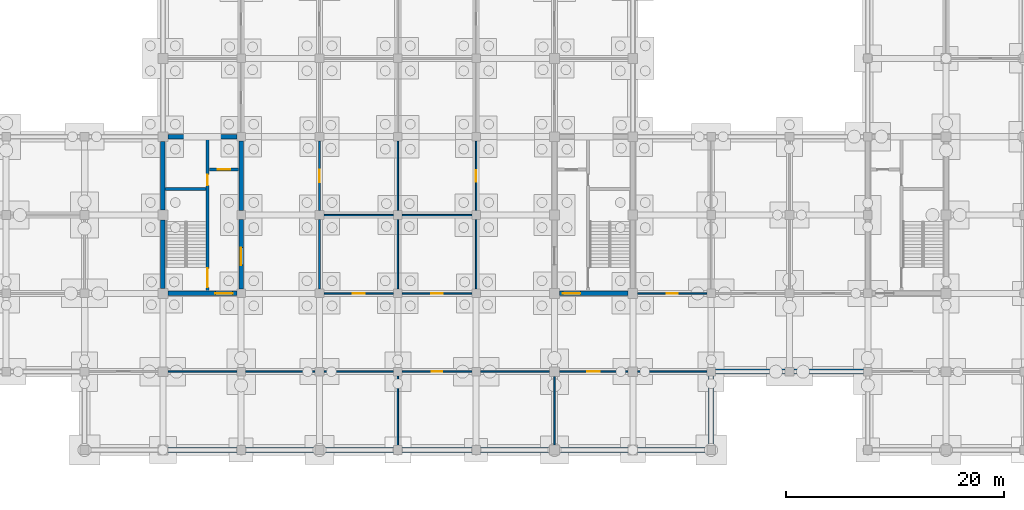
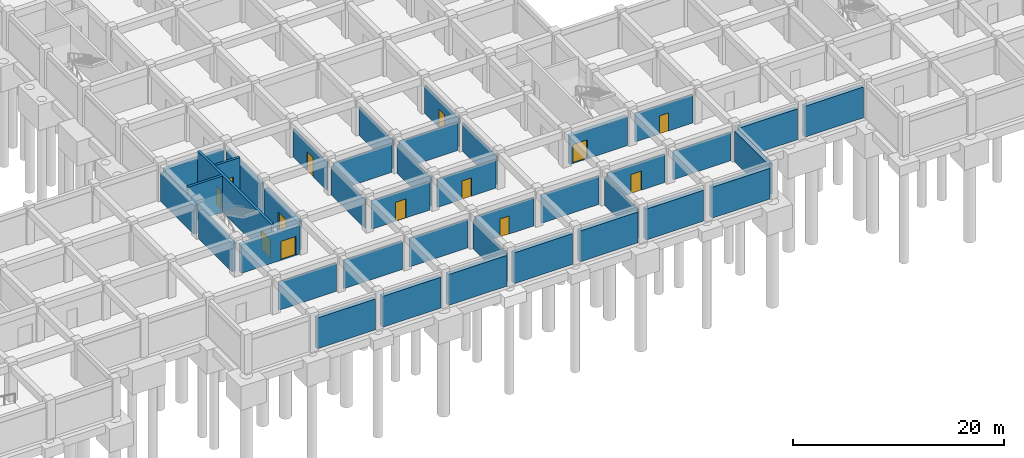
# One storey, part 16 of 25: 40 walls, 13 doors, 13 openings.
"""IFC4 building model written with IfcOpenShell, lengths in metres."""

import ifcopenshell
import ifcopenshell.guid

model = None  # the IFC model being written
_history = None  # IfcOwnerHistory: only IFC2X3 demands one
_inside = {}  # id of a spatial element -> (the spatial element, [elements in it])
_under = {}  # id of a project, library or spatial element -> (it, [spatial elements below it])
_declared = {}  # id of a project -> (the project, [libraries it declares])
_typed = {}  # id of a type object -> (the type object, [elements of that type])
_made_of = {}  # id of a material, layer set ... -> (it, [elements and type objects made of it])


def new_model(schema):
    """Start an empty IFC model of exactly this schema.

    Asked for "IFC4X3", IfcOpenShell would pick the latest addendum, in which some entities
    have other attributes; the version numbers below select the first issue.
    IFC2X3 requires an IfcOwnerHistory on every rooted entity: one is made here for all.
    """
    global model, _history
    if schema == "IFC4X3":
        model = ifcopenshell.file(schema_version=(4, 3, 0, 0))
    else:
        model = ifcopenshell.file(schema=schema)
    _inside.clear()
    _under.clear()
    _declared.clear()
    _typed.clear()
    _made_of.clear()
    _history = None
    if model.schema == "IFC2X3":
        org = make("IfcOrganization", Name="unknown")
        user = make(
            "IfcPersonAndOrganization",
            ThePerson=make("IfcPerson", FamilyName="unknown"),
            TheOrganization=org,
        )
        app = make(
            "IfcApplication",
            ApplicationDeveloper=org,
            Version="unknown",
            ApplicationFullName="unknown",
            ApplicationIdentifier="unknown",
        )
        _history = make(
            "IfcOwnerHistory",
            OwningUser=user,
            OwningApplication=app,
            ChangeAction="ADDED",
            CreationDate=0,
        )
    return model


def make(cls, **values):
    """One entity of the class cls with the attributes given. An attribute that is None is left unset."""
    return model.create_entity(
        cls, **{name: value for name, value in values.items() if value is not None}
    )


def rooted(cls, **values):
    """An entity with a GlobalId (a new one), such as an element, a storey or a relation."""
    return make(cls, GlobalId=ifcopenshell.guid.new(), OwnerHistory=_history, **values)


def si_unit(unit_type, name, prefix=None):
    """IfcSIUnit, for example si_unit("LENGTHUNIT", "METRE", prefix="MILLI")."""
    return make("IfcSIUnit", UnitType=unit_type, Prefix=prefix, Name=name)


def assignment(units):
    """IfcUnitAssignment: the units of a project."""
    return None if units is None else make("IfcUnitAssignment", Units=units)


def point(xyz):
    """IfcCartesianPoint."""
    return None if xyz is None else make("IfcCartesianPoint", Coordinates=xyz)


def direction(xyz):
    """IfcDirection."""
    return None if xyz is None else make("IfcDirection", DirectionRatios=xyz)


def frame(location, z_axis=None, x_axis=None):
    """IfcAxis2Placement3D, a coordinate frame: its origin and axes. An axis left out is left unset."""
    return make(
        "IfcAxis2Placement3D",
        Location=point(location),
        Axis=direction(z_axis),
        RefDirection=direction(x_axis),
    )


def frame_2d(location, x_axis=None):
    """IfcAxis2Placement2D, a coordinate frame in the plane: its origin and x axis."""
    return make(
        "IfcAxis2Placement2D", Location=point(location), RefDirection=direction(x_axis)
    )


def origin():
    """The frame at (0, 0, 0) with its axes left unset."""
    return frame((0.0, 0.0, 0.0))


def place(relative_to, where):
    """IfcLocalPlacement: puts the frame where relative to a parent placement (None: the world)."""
    return make(
        "IfcLocalPlacement", PlacementRelTo=relative_to, RelativePlacement=where
    )


def context(
    kind, dimensions, precision=None, world=None, true_north=None, identifier=None
):
    """IfcGeometricRepresentationContext, for example the 3D "Model" context."""
    return make(
        "IfcGeometricRepresentationContext",
        ContextIdentifier=identifier,
        ContextType=kind,
        CoordinateSpaceDimension=dimensions,
        Precision=precision,
        WorldCoordinateSystem=world,
        TrueNorth=true_north,
    )


def subcontext(parent, identifier, kind, view, scale=None):
    """IfcGeometricRepresentationSubContext, for example "Body" below "Model"."""
    return make(
        "IfcGeometricRepresentationSubContext",
        ContextIdentifier=identifier,
        ContextType=kind,
        ParentContext=parent,
        TargetScale=scale,
        TargetView=view,
    )


def project(units=None, contexts=None):
    """IfcProject with its units and contexts."""
    return rooted(
        "IfcProject",
        Name="project",
        RepresentationContexts=contexts,
        UnitsInContext=assignment(units),
    )


def spatial(cls, under=None, at=None, **own):
    """A site, building, storey or space (cls), placed at a placement, below another one or the project."""
    s = rooted(cls, ObjectPlacement=at, **own)
    if under is not None:
        _under.setdefault(under.id(), (under, []))[1].append(s)
    return s


def profile(cls, at=None, kind="AREA", **sizes):
    """A parametric profile (cls). Its sizes go by their IFC names, for example OverallWidth=200.0."""
    return make(cls, ProfileType=kind, Position=at, **sizes)


def rectangle(**sizes):
    """IfcRectangleProfileDef."""
    return profile("IfcRectangleProfileDef", **sizes)


def extrude(swept, where, along, depth):
    """IfcExtrudedAreaSolid: the profile swept, set in the frame where, extruded along a direction by depth."""
    return make(
        "IfcExtrudedAreaSolid",
        SweptArea=swept,
        Position=where,
        ExtrudedDirection=direction(along),
        Depth=depth,
    )


def shape(context_of_items, identifier, shape_type, items):
    """IfcShapeRepresentation: the items that make up one representation, for example the "Body"."""
    return make(
        "IfcShapeRepresentation",
        ContextOfItems=context_of_items,
        RepresentationIdentifier=identifier,
        RepresentationType=shape_type,
        Items=items,
    )


def material(Name=None, Category=None):
    """IfcMaterial."""
    return make("IfcMaterial", Name=Name, Category=Category)


def layer(
    of_material, thickness, ventilated=None, Name=None, Category=None, Priority=None
):
    """IfcMaterialLayer: one layer of a wall or slab, of a material (None: an air gap)."""
    return make(
        "IfcMaterialLayer",
        Material=of_material,
        LayerThickness=thickness,
        IsVentilated=ventilated,
        Name=Name,
        Category=Category,
        Priority=Priority,
    )


def layer_set(layers, Name=None):
    """IfcMaterialLayerSet."""
    return make("IfcMaterialLayerSet", MaterialLayers=layers, LayerSetName=Name)


def made_of(thing, what):
    """Note that an element or type object is made of a material, layer set ...; save() writes the relation."""
    if what is not None:
        _made_of.setdefault(what.id(), (what, []))[1].append(thing)
    return thing


def type_object(cls, material=None, **own):
    """A type object (cls), such as IfcWallType, which elements share."""
    return made_of(rooted(cls, **own), material)


def element(
    cls,
    number,
    at=None,
    inside=None,
    cuts=None,
    type_object=None,
    material=None,
    context=None,
    identifier="Body",
    shape_type=None,
    held_by="IfcProductDefinitionShape",
    body=None,
    shapes=None,
    **own,
):
    """One element of the class cls, such as IfcWall. Its Tag is "e" and its number.

    at: its placement. inside: the storey or other place that contains it. cuts: it is an
    opening in that element (IfcRelVoidsElement). A single representation is given by context,
    identifier, shape_type and body (its items); several are given by shapes. held_by: the class
    of the entity that holds the representations. save() writes the other relations.
    """
    e = rooted(cls, Tag="e%d" % number, ObjectPlacement=at, **own)
    if body is not None:
        shapes = [shape(context, identifier, shape_type, body)]
    if shapes is not None:
        e.Representation = make(held_by, Representations=shapes)
    if inside is not None:
        _inside.setdefault(inside.id(), (inside, []))[1].append(e)
    if cuts is not None:
        rooted(
            "IfcRelVoidsElement", RelatingBuildingElement=cuts, RelatedOpeningElement=e
        )
    if type_object is not None:
        _typed.setdefault(type_object.id(), (type_object, []))[1].append(e)
    return made_of(e, material)


def fill(opening, filler):
    """IfcRelFillsElement: the door or window that sits in an opening."""
    return rooted(
        "IfcRelFillsElement",
        RelatingOpeningElement=opening,
        RelatedBuildingElement=filler,
    )


def aggregate(whole, parts):
    """IfcRelAggregates: a whole, such as a stair, and the parts it consists of."""
    return rooted("IfcRelAggregates", RelatingObject=whole, RelatedObjects=parts)


def save(model, path):
    """Write the relations noted so far, then the file.

    IfcRelAggregates (storeys below a building ...), IfcRelContainedInSpatialStructure (elements
    in a storey), IfcRelDefinesByType, IfcRelAssociatesMaterial and IfcRelDeclares: one each for
    every whole, place, type object, material and project.
    """
    for whole, parts in _under.values():
        aggregate(whole, parts)
    for where, things in _inside.values():
        rooted(
            "IfcRelContainedInSpatialStructure",
            RelatedElements=things,
            RelatingStructure=where,
        )
    for kind, things in _typed.values():
        rooted("IfcRelDefinesByType", RelatedObjects=things, RelatingType=kind)
    for what, things in _made_of.values():
        rooted("IfcRelAssociatesMaterial", RelatedObjects=things, RelatingMaterial=what)
    for by, libraries in _declared.values():
        rooted("IfcRelDeclares", RelatingContext=by, RelatedDefinitions=libraries)
    model.write(path)


model = new_model("IFC4")

# Units and contexts
model_context = context("Model", 3, precision=1e-05, world=origin(), true_north=direction((0.0, 1.0)))
body_context = subcontext(model_context, "Body", "Model", "MODEL_VIEW")
ifc_project = project(units=[si_unit("LENGTHUNIT", "METRE"), si_unit("AREAUNIT", "SQUARE_METRE"), si_unit("VOLUMEUNIT", "CUBIC_METRE"), si_unit("PLANEANGLEUNIT", "RADIAN"), si_unit("MASSUNIT", "GRAM", prefix="KILO")], contexts=[model_context])

# Site, building, storey
site_placement = place(None, origin())
site = spatial("IfcSite", under=ifc_project, at=site_placement, CompositionType="ELEMENT")
building_placement = place(site_placement, origin())
building = spatial("IfcBuilding", under=site, at=building_placement, Name="Cendaluz Park School", CompositionType="ELEMENT")
storey_placement = place(building_placement, frame((0.0, 0.0, -4.5)))
storey = spatial("IfcBuildingStorey", under=building, at=storey_placement, Name="B1", CompositionType="ELEMENT", Elevation=-4.5)

# Wall, openings, doors
ifc_material_1 = material(Name="Concrete C40/50", Category="concrete")
ifc_layer_1 = layer(ifc_material_1, 0.280029296875)
ifc_layer_set_1 = layer_set([ifc_layer_1], Name="Concrete C40/50")
wall_type_1 = type_object("IfcWallType", Name="W-FW28", PredefinedType="SHEAR", material=ifc_layer_set_1)
wall_1_placement = place(storey_placement, frame((68.919921875, 14.60009765625, 0.0), z_axis=(0.0, 0.0, 1.0), x_axis=(0.0, 1.0, 0.0)))
wall_1 = element("IfcWall", 1, at=wall_1_placement, inside=storey, type_object=wall_type_1, Name="WL-BA-BR4", PredefinedType="SHEAR", context=body_context, shape_type="SweptSolid", body=[
    extrude(rectangle(XDim=14.0, YDim=0.280029296875, at=frame_2d((7.0, 0.0))), origin(), (0.0, 0.0, 1.0), 4.199951171875),
])
opening_1_placement = place(wall_1_placement, frame((0.35009765625, 0.0, 0.0)))
opening_1 = element("IfcOpeningElement", 2, at=opening_1_placement, cuts=wall_1, Name="Opening DST-03", PredefinedType="OPENING", context=body_context, shape_type="SweptSolid", body=[
    extrude(rectangle(XDim=1.75, YDim=2.14990234375, at=frame_2d((0.875, 1.074951171875))), frame((0.0, 0.152099609375, 0.0), z_axis=(0.0, -1.0, 0.0), x_axis=(1.0, 0.0, 0.0)), (0.0, 0.0, 1.0), 0.303955078125),
])
opening_2_placement = place(wall_1_placement, frame((9.719970703125, 0.0, 0.0)))
opening_2 = element("IfcOpeningElement", 3, at=opening_2_placement, cuts=wall_1, Name="Opening DFC-01", PredefinedType="OPENING", context=body_context, shape_type="SweptSolid", body=[
    extrude(rectangle(XDim=1.0, YDim=2.14990234375, at=frame_2d((0.5, 1.074951171875))), frame((0.0, 0.152099609375, 0.0), z_axis=(0.0, -1.0, 0.0), x_axis=(1.0, 0.0, 0.0)), (0.0, 0.0, 1.0), 0.303955078125),
])
ifc_material_2 = material(Name="Solid Core Hardwood", Category="wood")
door_type_1 = type_object("IfcDoorType", Name="DFC-01", OperationType="NOTDEFINED", PredefinedType="DOOR", material=ifc_material_2)
door_1_placement = place(opening_2_placement, origin())
door_1 = element("IfcDoor", 4, at=door_1_placement, inside=storey, type_object=door_type_1, Name="D-B1-004", OperationType="SINGLE_SWING_LEFT", OverallHeight=2.14990234375, OverallWidth=1.0, PredefinedType="DOOR", context=body_context, shape_type="SweptSolid", body=[
    extrude(rectangle(XDim=1.0, YDim=2.14990234375, at=frame_2d((0.5, 1.074951171875))), frame((0.0, 0.02490234375, 0.0), z_axis=(0.0, -1.0, 0.0), x_axis=(1.0, 0.0, 0.0)), (0.0, 0.0, 1.0), 0.050048828125),
])
fill(opening_2, door_1)
door_type_2 = type_object("IfcDoorType", Name="DST-03", OperationType="DOUBLE_DOOR_SINGLE_SWING", PredefinedType="DOOR", material=ifc_material_2)
door_2_placement = place(opening_1_placement, origin())
door_2 = element("IfcDoor", 5, at=door_2_placement, inside=storey, type_object=door_type_2, Name="D-B1-003", OperationType="DOUBLE_DOOR_SINGLE_SWING", OverallHeight=2.14990234375, OverallWidth=1.75, PredefinedType="DOOR", context=body_context, shape_type="SweptSolid", body=[
    extrude(rectangle(XDim=1.75, YDim=2.14990234375, at=frame_2d((0.875, 1.074951171875))), frame((0.0, 0.02490234375, 0.0), z_axis=(0.0, -1.0, 0.0), x_axis=(1.0, 0.0, 0.0)), (0.0, 0.0, 1.0), 0.050048828125),
])
fill(opening_1, door_2)

# Wall
wall_2_placement = place(storey_placement, frame((65.0, 23.97998046875, 0.0), z_axis=(0.0, 0.0, 1.0), x_axis=(1.0, 0.0, 0.0)))
element("IfcWall", 6, at=wall_2_placement, inside=storey, type_object=wall_type_1, Name="WL-BA-BR5", PredefinedType="SHEAR", context=body_context, shape_type="SweptSolid", body=[
    extrude(rectangle(XDim=3.780029296875, YDim=0.280029296875, at=frame_2d((1.89013671875, 0.0))), origin(), (0.0, 0.0, 1.0), 4.199951171875),
])

# Wall, opening, door
wall_3_placement = place(storey_placement, frame((69.080078125, 25.800048828125, 0.0), z_axis=(0.0, 0.0, 1.0), x_axis=(1.0, 0.0, 0.0)))
wall_3 = element("IfcWall", 7, at=wall_3_placement, inside=storey, type_object=wall_type_1, Name="WL-BA-BR6", PredefinedType="SHEAR", context=body_context, shape_type="SweptSolid", body=[
    extrude(rectangle(XDim=2.679931640625, YDim=0.280029296875, at=frame_2d((1.33984375, 0.0))), origin(), (0.0, 0.0, 1.0), 4.199951171875),
])
opening_3_placement = place(wall_3_placement, frame((0.764892578125, 0.0, 0.0)))
opening_3 = element("IfcOpeningElement", 8, at=opening_3_placement, cuts=wall_3, Name="Opening LD-01", PredefinedType="OPENING", context=body_context, shape_type="SweptSolid", body=[
    extrude(rectangle(XDim=1.14990234375, YDim=2.199951171875, at=frame_2d((0.574951171875, 1.10009765625))), frame((0.0, 0.152099609375, 0.0), z_axis=(0.0, -1.0, 0.0), x_axis=(1.0, 0.0, 0.0)), (0.0, 0.0, 1.0), 0.303955078125),
])
ifc_material_3 = material(Name="Stainless Steel 316L", Category="steel")
door_type_3 = type_object("IfcDoorType", Name="LD-01", OperationType="DOUBLE_DOOR_SLIDING", PredefinedType="DOOR", material=ifc_material_3)
door_3_placement = place(opening_3_placement, frame((1.14990234375, 0.0, 0.0), z_axis=(0.0, 0.0, 1.0), x_axis=(-1.0, 0.0, 0.0)))
door_3 = element("IfcDoor", 9, at=door_3_placement, inside=storey, type_object=door_type_3, Name="D-B1-005", OperationType="DOUBLE_DOOR_SLIDING", OverallHeight=2.199951171875, OverallWidth=1.14990234375, PredefinedType="DOOR", context=body_context, shape_type="SweptSolid", body=[
    extrude(rectangle(XDim=1.14990234375, YDim=2.199951171875, at=frame_2d((0.574951171875, 1.10009765625))), frame((0.0, 0.02490234375, 0.0), z_axis=(0.0, -1.0, 0.0), x_axis=(1.0, 0.0, 0.0)), (0.0, 0.0, 1.0), 0.050048828125),
])
fill(opening_3, door_3)

# Walls
ifc_layer_2 = layer(ifc_material_1, 0.449951171875)
ifc_layer_set_2 = layer_set([ifc_layer_2], Name="Concrete C40/50")
wall_type_2 = type_object("IfcWallType", Name="W-RT45", PredefinedType="SOLIDWALL", material=ifc_layer_set_2)
wall_4_placement = place(storey_placement, frame((65.25, 0.0, 0.0), z_axis=(0.0, 0.0, 1.0), x_axis=(1.0, 0.0, 0.0)))
element("IfcWall", 10, at=wall_4_placement, inside=storey, type_object=wall_type_2, Name="WL-BA-AF4", PredefinedType="SOLIDWALL", context=body_context, shape_type="SweptSolid", body=[
    extrude(rectangle(XDim=6.35009765625, YDim=0.449951171875, at=frame_2d((3.175048828125, 0.0))), origin(), (0.0, 0.0, 1.0), 3.570068359375),
])
wall_5_placement = place(storey_placement, frame((72.39990234375, 0.0, 0.0), z_axis=(0.0, 0.0, 1.0), x_axis=(1.0, 0.0, 0.0)))
element("IfcWall", 11, at=wall_5_placement, inside=storey, type_object=wall_type_2, Name="WL-BA-AG0", PredefinedType="SOLIDWALL", context=body_context, shape_type="SweptSolid", body=[
    extrude(rectangle(XDim=6.400146484375, YDim=0.449951171875, at=frame_2d((3.2001953125, 0.0))), origin(), (0.0, 0.0, 1.0), 3.570068359375),
])
for number, where, z_axis, x_axis, name in (
    (12, (79.60009765625, 0.0, 0.0), (0.0, 0.0, 1.0), (1.0, 0.0, 0.0), "WL-BA-AG2"),
    (13, (86.800048828125, 0.0, 0.0), (0.0, 0.0, 1.0), (1.0, 0.0, 0.0), "WL-BA-AG4"),
):
    element("IfcWall", number, at=place(storey_placement, frame(where, z_axis=z_axis, x_axis=x_axis)), inside=storey, type_object=wall_type_2, Name=name, PredefinedType="SOLIDWALL", context=body_context, shape_type="SweptSolid", body=[
        extrude(rectangle(XDim=6.39990234375, YDim=0.449951171875, at=frame_2d((3.199951171875, 0.0))), origin(), (0.0, 0.0, 1.0), 3.570068359375),
    ])
wall_6_placement = place(storey_placement, frame((94.0, 0.0, 0.0), z_axis=(0.0, 0.0, 1.0), x_axis=(1.0, 0.0, 0.0)))
element("IfcWall", 14, at=wall_6_placement, inside=storey, type_object=wall_type_2, Name="WL-BA-AG6", PredefinedType="SOLIDWALL", context=body_context, shape_type="SweptSolid", body=[
    extrude(rectangle(XDim=6.35009765625, YDim=0.449951171875, at=frame_2d((3.175048828125, 0.0))), origin(), (0.0, 0.0, 1.0), 3.570068359375),
])
wall_7_placement = place(storey_placement, frame((101.25, 0.0, 0.0), z_axis=(0.0, 0.0, 1.0), x_axis=(1.0, 0.0, 0.0)))
element("IfcWall", 15, at=wall_7_placement, inside=storey, type_object=wall_type_2, Name="WL-BA-AG8", PredefinedType="SOLIDWALL", context=body_context, shape_type="SweptSolid", body=[
    extrude(rectangle(XDim=6.300048828125, YDim=0.449951171875, at=frame_2d((3.14990234375, 0.0))), origin(), (0.0, 0.0, 1.0), 3.570068359375),
])
wall_8_placement = place(storey_placement, frame((108.449951171875, 0.0, 0.0), z_axis=(0.0, 0.0, 1.0), x_axis=(1.0, 0.0, 0.0)))
element("IfcWall", 16, at=wall_8_placement, inside=storey, type_object=wall_type_2, Name="WL-BA-AH4", PredefinedType="SOLIDWALL", context=body_context, shape_type="SweptSolid", body=[
    extrude(rectangle(XDim=6.35009765625, YDim=0.449951171875, at=frame_2d((3.175048828125, 0.0))), origin(), (0.0, 0.0, 1.0), 3.570068359375),
])
wall_9_placement = place(storey_placement, frame((115.199951171875, 0.39990234375, 0.0), z_axis=(0.0, 0.0, 1.0), x_axis=(0.0, 1.0, 0.0)))
element("IfcWall", 17, at=wall_9_placement, inside=storey, type_object=wall_type_2, Name="WL-BA-AH5", PredefinedType="SOLIDWALL", context=body_context, shape_type="SweptSolid", body=[
    extrude(rectangle(XDim=6.400146484375, YDim=0.449951171875, at=frame_2d((3.2001953125, 0.0))), origin(), (0.0, 0.0, 1.0), 3.570068359375),
])
for number, where, z_axis, x_axis, name in (
    (18, (115.60009765625, 7.199951171875, 0.0), (0.0, 0.0, 1.0), (1.0, 0.0, 0.0), "WL-BA-AH7"),
    (19, (122.800048828125, 7.199951171875, 0.0), (0.0, 0.0, 1.0), (1.0, 0.0, 0.0), "WL-BA-AH9"),
):
    element("IfcWall", number, at=place(storey_placement, frame(where, z_axis=z_axis, x_axis=x_axis)), inside=storey, type_object=wall_type_2, Name=name, PredefinedType="SOLIDWALL", context=body_context, shape_type="SweptSolid", body=[
        extrude(rectangle(XDim=6.39990234375, YDim=0.449951171875, at=frame_2d((3.199951171875, 0.0))), origin(), (0.0, 0.0, 1.0), 3.570068359375),
    ])
ifc_layer_3 = layer(ifc_material_1, 0.419921875)
ifc_layer_set_3 = layer_set([ifc_layer_3], Name="Concrete C40/50")
wall_type_3 = type_object("IfcWallType", Name="W-SH42", PredefinedType="SHEAR", material=ifc_layer_set_3)
wall_10_placement = place(storey_placement, frame((64.800048828125, 14.85009765625, 0.0), z_axis=(0.0, 0.0, 1.0), x_axis=(0.0, 1.0, 0.0)))
element("IfcWall", 20, at=wall_10_placement, inside=storey, type_object=wall_type_3, Name="WL-BA-BQ8", PredefinedType="SHEAR", context=body_context, shape_type="SweptSolid", body=[
    extrude(rectangle(XDim=6.2998046875, YDim=0.419921875, at=frame_2d((3.14990234375, 0.0))), origin(), (0.0, 0.0, 1.0), 3.300048828125),
])
wall_11_placement = place(storey_placement, frame((64.800048828125, 22.050048828125, 0.0), z_axis=(0.0, 0.0, 1.0), x_axis=(0.0, 1.0, 0.0)))
element("IfcWall", 21, at=wall_11_placement, inside=storey, type_object=wall_type_3, Name="WL-BA-BQ9", PredefinedType="SHEAR", context=body_context, shape_type="SweptSolid", body=[
    extrude(rectangle(XDim=6.300048828125, YDim=0.419921875, at=frame_2d((3.14990234375, 0.0))), origin(), (0.0, 0.0, 1.0), 3.300048828125),
])

# Wall, opening, door
wall_12_placement = place(storey_placement, frame((72.0, 14.800048828125, 0.0), z_axis=(0.0, 0.0, 1.0), x_axis=(0.0, 1.0, 0.0)))
wall_12 = element("IfcWall", 22, at=wall_12_placement, inside=storey, type_object=wall_type_3, Name="WL-BA-BR0", PredefinedType="SHEAR", context=body_context, shape_type="SweptSolid", body=[
    extrude(rectangle(XDim=6.39990234375, YDim=0.419921875, at=frame_2d((3.199951171875, 0.0))), origin(), (0.0, 0.0, 1.0), 3.300048828125),
])
opening_4_placement = place(wall_12_placement, frame((2.199951171875, 0.0, 0.0)))
opening_4 = element("IfcOpeningElement", 23, at=opening_4_placement, cuts=wall_12, Name="Opening DLB-01", PredefinedType="OPENING", context=body_context, shape_type="SweptSolid", body=[
    extrude(rectangle(XDim=1.60009765625, YDim=2.199951171875, at=frame_2d((0.800048828125, 1.10009765625))), frame((0.0, 0.221923828125, 0.0), z_axis=(0.0, -1.0, 0.0), x_axis=(1.0, 0.0, 0.0)), (0.0, 0.0, 1.0), 0.44384765625),
])
door_type_4 = type_object("IfcDoorType", Name="DLB-01", OperationType="DOUBLE_DOOR_SINGLE_SWING", PredefinedType="DOOR", material=ifc_material_2)
door_4_placement = place(opening_4_placement, origin())
door_4 = element("IfcDoor", 24, at=door_4_placement, inside=storey, type_object=door_type_4, Name="D-B1-001", OperationType="DOUBLE_DOOR_SINGLE_SWING", OverallHeight=2.199951171875, OverallWidth=1.60009765625, PredefinedType="DOOR", context=body_context, shape_type="SweptSolid", body=[
    extrude(rectangle(XDim=1.60009765625, YDim=2.199951171875, at=frame_2d((0.800048828125, 1.10009765625))), frame((0.0, 0.02490234375, 0.0), z_axis=(0.0, -1.0, 0.0), x_axis=(1.0, 0.0, 0.0)), (0.0, 0.0, 1.0), 0.050048828125),
])
fill(opening_4, door_4)

# Wall
wall_13_placement = place(storey_placement, frame((72.0, 22.0, 0.0), z_axis=(0.0, 0.0, 1.0), x_axis=(0.0, 1.0, 0.0)))
element("IfcWall", 25, at=wall_13_placement, inside=storey, type_object=wall_type_3, Name="WL-BA-BR1", PredefinedType="SHEAR", context=body_context, shape_type="SweptSolid", body=[
    extrude(rectangle(XDim=6.39990234375, YDim=0.419921875, at=frame_2d((3.199951171875, 0.0))), origin(), (0.0, 0.0, 1.0), 3.300048828125),
])

# Wall, opening, door
wall_14_placement = place(storey_placement, frame((65.25, 14.39990234375, 0.0), z_axis=(0.0, 0.0, 1.0), x_axis=(1.0, 0.0, 0.0)))
wall_14 = element("IfcWall", 26, at=wall_14_placement, inside=storey, type_object=wall_type_3, Name="WL-BA-BR2", PredefinedType="SHEAR", context=body_context, shape_type="SweptSolid", body=[
    extrude(rectangle(XDim=6.35009765625, YDim=0.419921875, at=frame_2d((3.175048828125, 0.0))), origin(), (0.0, 0.0, 1.0), 3.300048828125),
])
opening_5_placement = place(wall_14_placement, frame((4.3701171875, 0.0, 0.0)))
opening_5 = element("IfcOpeningElement", 27, at=opening_5_placement, cuts=wall_14, Name="Opening DLB-01", PredefinedType="OPENING", context=body_context, shape_type="SweptSolid", body=[
    extrude(rectangle(XDim=1.60009765625, YDim=2.199951171875, at=frame_2d((0.800048828125, 1.10009765625))), frame((0.0, 0.221923828125, 0.0), z_axis=(0.0, -1.0, 0.0), x_axis=(1.0, 0.0, 0.0)), (0.0, 0.0, 1.0), 0.44384765625),
])
door_5_placement = place(opening_5_placement, origin())
door_5 = element("IfcDoor", 28, at=door_5_placement, inside=storey, type_object=door_type_4, Name="D-B1-002", OperationType="DOUBLE_DOOR_SINGLE_SWING", OverallHeight=2.199951171875, OverallWidth=1.60009765625, PredefinedType="DOOR", context=body_context, shape_type="SweptSolid", body=[
    extrude(rectangle(XDim=1.60009765625, YDim=2.199951171875, at=frame_2d((0.800048828125, 1.10009765625))), frame((0.0, 0.02490234375, 0.0), z_axis=(0.0, -1.0, 0.0), x_axis=(1.0, 0.0, 0.0)), (0.0, 0.0, 1.0), 0.050048828125),
])
fill(opening_5, door_5)

# Wall
wall_15_placement = place(storey_placement, frame((65.25, 28.800048828125, 0.0), z_axis=(0.0, 0.0, 1.0), x_axis=(1.0, 0.0, 0.0)))
element("IfcWall", 29, at=wall_15_placement, inside=storey, type_object=wall_type_3, Name="WL-BA-BR3", PredefinedType="SHEAR", context=body_context, shape_type="SweptSolid", body=[
    extrude(rectangle(XDim=6.35009765625, YDim=0.419921875, at=frame_2d((3.175048828125, 0.0))), origin(), (0.0, 0.0, 1.0), 3.300048828125),
])

# Wall, opening, door
wall_16_placement = place(storey_placement, frame((101.25, 14.39990234375, 0.0), z_axis=(0.0, 0.0, 1.0), x_axis=(1.0, 0.0, 0.0)))
wall_16 = element("IfcWall", 30, at=wall_16_placement, inside=storey, type_object=wall_type_3, Name="WL-BA-BS1", PredefinedType="SHEAR", context=body_context, shape_type="SweptSolid", body=[
    extrude(rectangle(XDim=6.300048828125, YDim=0.419921875, at=frame_2d((3.14990234375, 0.0))), origin(), (0.0, 0.0, 1.0), 3.300048828125),
])
opening_6_placement = place(wall_16_placement, frame((0.330078125, 0.0, 0.0)))
opening_6 = element("IfcOpeningElement", 31, at=opening_6_placement, cuts=wall_16, Name="Opening DLB-01", PredefinedType="OPENING", context=body_context, shape_type="SweptSolid", body=[
    extrude(rectangle(XDim=1.60009765625, YDim=2.199951171875, at=frame_2d((0.800048828125, 1.10009765625))), frame((0.0, 0.221923828125, 0.0), z_axis=(0.0, -1.0, 0.0), x_axis=(1.0, 0.0, 0.0)), (0.0, 0.0, 1.0), 0.44384765625),
])
door_6_placement = place(opening_6_placement, origin())
door_6 = element("IfcDoor", 32, at=door_6_placement, inside=storey, type_object=door_type_4, Name="D-B1-007", OperationType="DOUBLE_DOOR_SINGLE_SWING", OverallHeight=2.199951171875, OverallWidth=1.60009765625, PredefinedType="DOOR", context=body_context, shape_type="SweptSolid", body=[
    extrude(rectangle(XDim=1.60009765625, YDim=2.199951171875, at=frame_2d((0.800048828125, 1.10009765625))), frame((0.0, 0.02490234375, 0.0), z_axis=(0.0, -1.0, 0.0), x_axis=(1.0, 0.0, 0.0)), (0.0, 0.0, 1.0), 0.050048828125),
])
fill(opening_6, door_6)

# Walls
ifc_material_4 = material(Name="Gypsum Plasterboard on Cold-Formed Stud", Category="gypsum")
ifc_layer_4 = layer(ifc_material_4, 0.139892578125)
ifc_layer_set_4 = layer_set([ifc_layer_4], Name="Gypsum Plasterboard on Cold-Formed Stud")
wall_type_4 = type_object("IfcWallType", Name="W-ST14", PredefinedType="PARTITIONING", material=ifc_layer_set_4)
wall_17_placement = place(storey_placement, frame((65.25, 7.199951171875, 0.0), z_axis=(0.0, 0.0, 1.0), x_axis=(1.0, 0.0, 0.0)))
element("IfcWall", 33, at=wall_17_placement, inside=storey, type_object=wall_type_4, Name="WL-BA-CA8", PredefinedType="PARTITIONING", context=body_context, shape_type="SweptSolid", body=[
    extrude(rectangle(XDim=6.35009765625, YDim=0.139892578125, at=frame_2d((3.175048828125, 0.0))), origin(), (0.0, 0.0, 1.0), 3.300048828125),
])
wall_18_placement = place(storey_placement, frame((72.39990234375, 7.199951171875, 0.0), z_axis=(0.0, 0.0, 1.0), x_axis=(1.0, 0.0, 0.0)))
element("IfcWall", 34, at=wall_18_placement, inside=storey, type_object=wall_type_4, Name="WL-BA-CA9", PredefinedType="PARTITIONING", context=body_context, shape_type="SweptSolid", body=[
    extrude(rectangle(XDim=6.400146484375, YDim=0.139892578125, at=frame_2d((3.2001953125, 0.0))), origin(), (0.0, 0.0, 1.0), 3.300048828125),
])
wall_19_placement = place(storey_placement, frame((79.60009765625, 7.199951171875, 0.0), z_axis=(0.0, 0.0, 1.0), x_axis=(1.0, 0.0, 0.0)))
element("IfcWall", 35, at=wall_19_placement, inside=storey, type_object=wall_type_4, Name="WL-BA-CB0", PredefinedType="PARTITIONING", context=body_context, shape_type="SweptSolid", body=[
    extrude(rectangle(XDim=6.39990234375, YDim=0.139892578125, at=frame_2d((3.199951171875, 0.0))), origin(), (0.0, 0.0, 1.0), 3.300048828125),
])
wall_20_placement = place(storey_placement, frame((86.39990234375, 0.39990234375, 0.0), z_axis=(0.0, 0.0, 1.0), x_axis=(0.0, 1.0, 0.0)))
element("IfcWall", 36, at=wall_20_placement, inside=storey, type_object=wall_type_4, Name="WL-BA-CB1", PredefinedType="PARTITIONING", context=body_context, shape_type="SweptSolid", body=[
    extrude(rectangle(XDim=6.400146484375, YDim=0.139892578125, at=frame_2d((3.2001953125, 0.0))), origin(), (0.0, 0.0, 1.0), 3.300048828125),
])

# Wall, opening, door
wall_21_placement = place(storey_placement, frame((108.449951171875, 14.39990234375, 0.0), z_axis=(0.0, 0.0, 1.0), x_axis=(1.0, 0.0, 0.0)))
wall_21 = element("IfcWall", 37, at=wall_21_placement, inside=storey, type_object=wall_type_4, Name="WL-BA-CH1", PredefinedType="PARTITIONING", context=body_context, shape_type="SweptSolid", body=[
    extrude(rectangle(XDim=6.35009765625, YDim=0.139892578125, at=frame_2d((3.175048828125, 0.0))), origin(), (0.0, 0.0, 1.0), 3.300048828125),
])
opening_7_placement = place(wall_21_placement, frame((2.675048828125, 0.0, 0.0)))
opening_7 = element("IfcOpeningElement", 38, at=opening_7_placement, cuts=wall_21, Name="Opening DCL-01", PredefinedType="OPENING", context=body_context, shape_type="SweptSolid", body=[
    extrude(rectangle(XDim=1.0, YDim=2.10009765625, at=frame_2d((0.5, 1.050048828125))), frame((0.0, 0.08203125, 0.0), z_axis=(0.0, -1.0, 0.0), x_axis=(1.0, 0.0, 0.0)), (0.0, 0.0, 1.0), 0.163818359375),
])
door_type_5 = type_object("IfcDoorType", Name="DCL-01", OperationType="NOTDEFINED", PredefinedType="DOOR", material=ifc_material_2)
door_7_placement = place(opening_7_placement, origin())
door_7 = element("IfcDoor", 39, at=door_7_placement, inside=storey, type_object=door_type_5, Name="D-B1-055", OperationType="SINGLE_SWING_RIGHT", OverallHeight=2.10009765625, OverallWidth=1.0, PredefinedType="DOOR", context=body_context, shape_type="SweptSolid", body=[
    extrude(rectangle(XDim=1.0, YDim=2.10009765625, at=frame_2d((0.5, 1.050048828125))), frame((0.0, 0.02490234375, 0.0), z_axis=(0.0, -1.0, 0.0), x_axis=(1.0, 0.0, 0.0)), (0.0, 0.0, 1.0), 0.050048828125),
])
fill(opening_7, door_7)

wall_22_placement = place(storey_placement, frame((79.60009765625, 14.39990234375, 0.0), z_axis=(0.0, 0.0, 1.0), x_axis=(1.0, 0.0, 0.0)))
wall_22 = element("IfcWall", 40, at=wall_22_placement, inside=storey, type_object=wall_type_4, Name="WL-BA-CK6", PredefinedType="PARTITIONING", context=body_context, shape_type="SweptSolid", body=[
    extrude(rectangle(XDim=6.39990234375, YDim=0.139892578125, at=frame_2d((3.199951171875, 0.0))), origin(), (0.0, 0.0, 1.0), 3.300048828125),
])
opening_8_placement = place(wall_22_placement, frame((2.639892578125, 0.0, 0.0)))
opening_8 = element("IfcOpeningElement", 41, at=opening_8_placement, cuts=wall_22, Name="Opening DCL-06", PredefinedType="OPENING", context=body_context, shape_type="SweptSolid", body=[
    extrude(rectangle(XDim=1.1201171875, YDim=2.199951171875, at=frame_2d((0.56005859375, 1.10009765625))), frame((0.0, 0.08203125, 0.0), z_axis=(0.0, -1.0, 0.0), x_axis=(1.0, 0.0, 0.0)), (0.0, 0.0, 1.0), 0.163818359375),
])
door_type_6 = type_object("IfcDoorType", Name="DCL-06", OperationType="NOTDEFINED", PredefinedType="DOOR", material=ifc_material_2)
door_8_placement = place(opening_8_placement, origin())
door_8 = element("IfcDoor", 42, at=door_8_placement, inside=storey, type_object=door_type_6, Name="D-B1-070", OperationType="SINGLE_SWING_LEFT", OverallHeight=2.199951171875, OverallWidth=1.1201171875, PredefinedType="DOOR", context=body_context, shape_type="SweptSolid", body=[
    extrude(rectangle(XDim=1.1201171875, YDim=2.199951171875, at=frame_2d((0.56005859375, 1.10009765625))), frame((0.0, 0.02490234375, 0.0), z_axis=(0.0, -1.0, 0.0), x_axis=(1.0, 0.0, 0.0)), (0.0, 0.0, 1.0), 0.050048828125),
])
fill(opening_8, door_8)

# Walls
for number, where, z_axis, x_axis, name in (
    (43, (79.60009765625, 21.60009765625, 0.0), (0.0, 0.0, 1.0), (1.0, 0.0, 0.0), "WL-BA-CK7"),
    (44, (79.199951171875, 14.800048828125, 0.0), (0.0, 0.0, 1.0), (0.0, 1.0, 0.0), "WL-BA-CK8"),
    (45, (86.39990234375, 14.800048828125, 0.0), (0.0, 0.0, 1.0), (0.0, 1.0, 0.0), "WL-BA-CK9"),
):
    element("IfcWall", number, at=place(storey_placement, frame(where, z_axis=z_axis, x_axis=x_axis)), inside=storey, type_object=wall_type_4, Name=name, PredefinedType="PARTITIONING", context=body_context, shape_type="SweptSolid", body=[
        extrude(rectangle(XDim=6.39990234375, YDim=0.139892578125, at=frame_2d((3.199951171875, 0.0))), origin(), (0.0, 0.0, 1.0), 3.300048828125),
    ])

# Wall, opening, door
wall_23_placement = place(storey_placement, frame((79.199951171875, 22.0, 0.0), z_axis=(0.0, 0.0, 1.0), x_axis=(0.0, 1.0, 0.0)))
wall_23 = element("IfcWall", 46, at=wall_23_placement, inside=storey, type_object=wall_type_4, Name="WL-BA-CL0", PredefinedType="PARTITIONING", context=body_context, shape_type="SweptSolid", body=[
    extrude(rectangle(XDim=6.39990234375, YDim=0.139892578125, at=frame_2d((3.199951171875, 0.0))), origin(), (0.0, 0.0, 1.0), 3.300048828125),
])
opening_9_placement = place(wall_23_placement, frame((2.6201171875, 0.0, 0.0)))
opening_9 = element("IfcOpeningElement", 47, at=opening_9_placement, cuts=wall_23, Name="Opening DCL-07", PredefinedType="OPENING", context=body_context, shape_type="SweptSolid", body=[
    extrude(rectangle(XDim=1.159912109375, YDim=2.219970703125, at=frame_2d((0.580078125, 1.10986328125))), frame((0.0, 0.08203125, 0.0), z_axis=(0.0, -1.0, 0.0), x_axis=(1.0, 0.0, 0.0)), (0.0, 0.0, 1.0), 0.163818359375),
])
door_type_7 = type_object("IfcDoorType", Name="DCL-07", OperationType="NOTDEFINED", PredefinedType="DOOR", material=ifc_material_2)
door_9_placement = place(opening_9_placement, frame((1.159912109375, 0.0, 0.0), z_axis=(0.0, 0.0, 1.0), x_axis=(-1.0, 0.0, 0.0)))
door_9 = element("IfcDoor", 48, at=door_9_placement, inside=storey, type_object=door_type_7, Name="D-B1-071", OperationType="SINGLE_SWING_RIGHT", OverallHeight=2.219970703125, OverallWidth=1.159912109375, PredefinedType="DOOR", context=body_context, shape_type="SweptSolid", body=[
    extrude(rectangle(XDim=1.159912109375, YDim=2.219970703125, at=frame_2d((0.580078125, 1.10986328125))), frame((0.0, 0.02490234375, 0.0), z_axis=(0.0, -1.0, 0.0), x_axis=(1.0, 0.0, 0.0)), (0.0, 0.0, 1.0), 0.050048828125),
])
fill(opening_9, door_9)

# Wall
wall_24_placement = place(storey_placement, frame((86.39990234375, 22.0, 0.0), z_axis=(0.0, 0.0, 1.0), x_axis=(0.0, 1.0, 0.0)))
element("IfcWall", 49, at=wall_24_placement, inside=storey, type_object=wall_type_4, Name="WL-BA-CL1", PredefinedType="PARTITIONING", context=body_context, shape_type="SweptSolid", body=[
    extrude(rectangle(XDim=6.39990234375, YDim=0.139892578125, at=frame_2d((3.199951171875, 0.0))), origin(), (0.0, 0.0, 1.0), 3.300048828125),
])

# Wall, opening, door
wall_25_placement = place(storey_placement, frame((86.800048828125, 7.199951171875, 0.0), z_axis=(0.0, 0.0, 1.0), x_axis=(1.0, 0.0, 0.0)))
wall_25 = element("IfcWall", 50, at=wall_25_placement, inside=storey, type_object=wall_type_4, Name="WL-BA-CM7", PredefinedType="PARTITIONING", context=body_context, shape_type="SweptSolid", body=[
    extrude(rectangle(XDim=6.39990234375, YDim=0.139892578125, at=frame_2d((3.199951171875, 0.0))), origin(), (0.0, 0.0, 1.0), 3.300048828125),
])
opening_10_placement = place(wall_25_placement, frame((2.699951171875, 0.0, 0.0)))
opening_10 = element("IfcOpeningElement", 51, at=opening_10_placement, cuts=wall_25, Name="Opening DCL-01", PredefinedType="OPENING", context=body_context, shape_type="SweptSolid", body=[
    extrude(rectangle(XDim=1.0, YDim=2.10009765625, at=frame_2d((0.5, 1.050048828125))), frame((0.0, 0.08203125, 0.0), z_axis=(0.0, -1.0, 0.0), x_axis=(1.0, 0.0, 0.0)), (0.0, 0.0, 1.0), 0.163818359375),
])
door_10_placement = place(opening_10_placement, frame((1.0, 0.0, 0.0), z_axis=(0.0, 0.0, 1.0), x_axis=(-1.0, 0.0, 0.0)))
door_10 = element("IfcDoor", 52, at=door_10_placement, inside=storey, type_object=door_type_5, Name="D-B1-075", OperationType="SINGLE_SWING_RIGHT", OverallHeight=2.10009765625, OverallWidth=1.0, PredefinedType="DOOR", context=body_context, shape_type="SweptSolid", body=[
    extrude(rectangle(XDim=1.0, YDim=2.10009765625, at=frame_2d((0.5, 1.050048828125))), frame((0.0, 0.02490234375, 0.0), z_axis=(0.0, -1.0, 0.0), x_axis=(1.0, 0.0, 0.0)), (0.0, 0.0, 1.0), 0.050048828125),
])
fill(opening_10, door_10)

# Walls
wall_26_placement = place(storey_placement, frame((94.0, 7.199951171875, 0.0), z_axis=(0.0, 0.0, 1.0), x_axis=(1.0, 0.0, 0.0)))
element("IfcWall", 53, at=wall_26_placement, inside=storey, type_object=wall_type_4, Name="WL-BA-CM8", PredefinedType="PARTITIONING", context=body_context, shape_type="SweptSolid", body=[
    extrude(rectangle(XDim=6.35009765625, YDim=0.139892578125, at=frame_2d((3.175048828125, 0.0))), origin(), (0.0, 0.0, 1.0), 3.300048828125),
])
wall_27_placement = place(storey_placement, frame((100.800048828125, 0.449951171875, 0.0), z_axis=(0.0, 0.0, 1.0), x_axis=(0.0, 1.0, 0.0)))
element("IfcWall", 54, at=wall_27_placement, inside=storey, type_object=wall_type_4, Name="WL-BA-CM9", PredefinedType="PARTITIONING", context=body_context, shape_type="SweptSolid", body=[
    extrude(rectangle(XDim=6.300048828125, YDim=0.139892578125, at=frame_2d((3.14990234375, 0.0))), origin(), (0.0, 0.0, 1.0), 3.300048828125),
])

# Wall, opening, door
wall_28_placement = place(storey_placement, frame((86.800048828125, 14.39990234375, 0.0), z_axis=(0.0, 0.0, 1.0), x_axis=(1.0, 0.0, 0.0)))
wall_28 = element("IfcWall", 55, at=wall_28_placement, inside=storey, type_object=wall_type_4, Name="WL-BA-CN0", PredefinedType="PARTITIONING", context=body_context, shape_type="SweptSolid", body=[
    extrude(rectangle(XDim=6.39990234375, YDim=0.139892578125, at=frame_2d((3.199951171875, 0.0))), origin(), (0.0, 0.0, 1.0), 3.300048828125),
])
opening_11_placement = place(wall_28_placement, frame((2.68994140625, 0.0, 0.0)))
opening_11 = element("IfcOpeningElement", 56, at=opening_11_placement, cuts=wall_28, Name="Opening DCL-02", PredefinedType="OPENING", context=body_context, shape_type="SweptSolid", body=[
    extrude(rectangle(XDim=1.02001953125, YDim=2.1201171875, at=frame_2d((0.510009765625, 1.06005859375))), frame((0.0, 0.08203125, 0.0), z_axis=(0.0, -1.0, 0.0), x_axis=(1.0, 0.0, 0.0)), (0.0, 0.0, 1.0), 0.163818359375),
])
door_type_8 = type_object("IfcDoorType", Name="DCL-02", OperationType="NOTDEFINED", PredefinedType="DOOR", material=ifc_material_2)
door_11_placement = place(opening_11_placement, origin())
door_11 = element("IfcDoor", 57, at=door_11_placement, inside=storey, type_object=door_type_8, Name="D-B1-076", OperationType="SINGLE_SWING_LEFT", OverallHeight=2.1201171875, OverallWidth=1.02001953125, PredefinedType="DOOR", context=body_context, shape_type="SweptSolid", body=[
    extrude(rectangle(XDim=1.02001953125, YDim=2.1201171875, at=frame_2d((0.510009765625, 1.06005859375))), frame((0.0, 0.02490234375, 0.0), z_axis=(0.0, -1.0, 0.0), x_axis=(1.0, 0.0, 0.0)), (0.0, 0.0, 1.0), 0.050048828125),
])
fill(opening_11, door_11)

# Walls
for number, where, z_axis, x_axis, name in (
    (58, (86.800048828125, 21.60009765625, 0.0), (0.0, 0.0, 1.0), (1.0, 0.0, 0.0), "WL-BA-CN1"),
    (59, (93.60009765625, 14.800048828125, 0.0), (0.0, 0.0, 1.0), (0.0, 1.0, 0.0), "WL-BA-CN2"),
):
    element("IfcWall", number, at=place(storey_placement, frame(where, z_axis=z_axis, x_axis=x_axis)), inside=storey, type_object=wall_type_4, Name=name, PredefinedType="PARTITIONING", context=body_context, shape_type="SweptSolid", body=[
        extrude(rectangle(XDim=6.39990234375, YDim=0.139892578125, at=frame_2d((3.199951171875, 0.0))), origin(), (0.0, 0.0, 1.0), 3.300048828125),
    ])

# Wall, opening, door
wall_29_placement = place(storey_placement, frame((93.60009765625, 22.0, 0.0), z_axis=(0.0, 0.0, 1.0), x_axis=(0.0, 1.0, 0.0)))
wall_29 = element("IfcWall", 60, at=wall_29_placement, inside=storey, type_object=wall_type_4, Name="WL-BA-CN3", PredefinedType="PARTITIONING", context=body_context, shape_type="SweptSolid", body=[
    extrude(rectangle(XDim=6.39990234375, YDim=0.139892578125, at=frame_2d((3.199951171875, 0.0))), origin(), (0.0, 0.0, 1.0), 3.300048828125),
])
opening_12_placement = place(wall_29_placement, frame((2.679931640625, 0.0, 0.0)))
opening_12 = element("IfcOpeningElement", 61, at=opening_12_placement, cuts=wall_29, Name="Opening DCL-03", PredefinedType="OPENING", context=body_context, shape_type="SweptSolid", body=[
    extrude(rectangle(XDim=1.0400390625, YDim=2.139892578125, at=frame_2d((0.52001953125, 1.06982421875))), frame((0.0, 0.08203125, 0.0), z_axis=(0.0, -1.0, 0.0), x_axis=(1.0, 0.0, 0.0)), (0.0, 0.0, 1.0), 0.163818359375),
])
door_type_9 = type_object("IfcDoorType", Name="DCL-03", OperationType="NOTDEFINED", PredefinedType="DOOR", material=ifc_material_2)
door_12_placement = place(opening_12_placement, origin())
door_12 = element("IfcDoor", 62, at=door_12_placement, inside=storey, type_object=door_type_9, Name="D-B1-077", OperationType="SINGLE_SWING_RIGHT", OverallHeight=2.139892578125, OverallWidth=1.0400390625, PredefinedType="DOOR", context=body_context, shape_type="SweptSolid", body=[
    extrude(rectangle(XDim=1.0400390625, YDim=2.139892578125, at=frame_2d((0.52001953125, 1.06982421875))), frame((0.0, 0.02490234375, 0.0), z_axis=(0.0, -1.0, 0.0), x_axis=(1.0, 0.0, 0.0)), (0.0, 0.0, 1.0), 0.050048828125),
])
fill(opening_12, door_12)

wall_30_placement = place(storey_placement, frame((101.25, 7.199951171875, 0.0), z_axis=(0.0, 0.0, 1.0), x_axis=(1.0, 0.0, 0.0)))
wall_30 = element("IfcWall", 63, at=wall_30_placement, inside=storey, type_object=wall_type_4, Name="WL-BA-CO3", PredefinedType="PARTITIONING", context=body_context, shape_type="SweptSolid", body=[
    extrude(rectangle(XDim=6.300048828125, YDim=0.139892578125, at=frame_2d((3.14990234375, 0.0))), origin(), (0.0, 0.0, 1.0), 3.300048828125),
])
opening_13_placement = place(wall_30_placement, frame((2.570068359375, 0.0, 0.0)))
opening_13 = element("IfcOpeningElement", 64, at=opening_13_placement, cuts=wall_30, Name="Opening DCL-07", PredefinedType="OPENING", context=body_context, shape_type="SweptSolid", body=[
    extrude(rectangle(XDim=1.159912109375, YDim=2.219970703125, at=frame_2d((0.580078125, 1.10986328125))), frame((0.0, 0.08203125, 0.0), z_axis=(0.0, -1.0, 0.0), x_axis=(1.0, 0.0, 0.0)), (0.0, 0.0, 1.0), 0.163818359375),
])
door_13_placement = place(opening_13_placement, frame((1.159912109375, 0.0, 0.0), z_axis=(0.0, 0.0, 1.0), x_axis=(-1.0, 0.0, 0.0)))
door_13 = element("IfcDoor", 65, at=door_13_placement, inside=storey, type_object=door_type_7, Name="D-B1-081", OperationType="SINGLE_SWING_RIGHT", OverallHeight=2.219970703125, OverallWidth=1.159912109375, PredefinedType="DOOR", context=body_context, shape_type="SweptSolid", body=[
    extrude(rectangle(XDim=1.159912109375, YDim=2.219970703125, at=frame_2d((0.580078125, 1.10986328125))), frame((0.0, 0.02490234375, 0.0), z_axis=(0.0, -1.0, 0.0), x_axis=(1.0, 0.0, 0.0)), (0.0, 0.0, 1.0), 0.050048828125),
])
fill(opening_13, door_13)

# Wall
wall_31_placement = place(storey_placement, frame((108.449951171875, 7.199951171875, 0.0), z_axis=(0.0, 0.0, 1.0), x_axis=(1.0, 0.0, 0.0)))
element("IfcWall", 66, at=wall_31_placement, inside=storey, type_object=wall_type_4, Name="WL-BA-CO4", PredefinedType="PARTITIONING", context=body_context, shape_type="SweptSolid", body=[
    extrude(rectangle(XDim=6.35009765625, YDim=0.139892578125, at=frame_2d((3.175048828125, 0.0))), origin(), (0.0, 0.0, 1.0), 3.300048828125),
])

save(model, "model.ifc")
